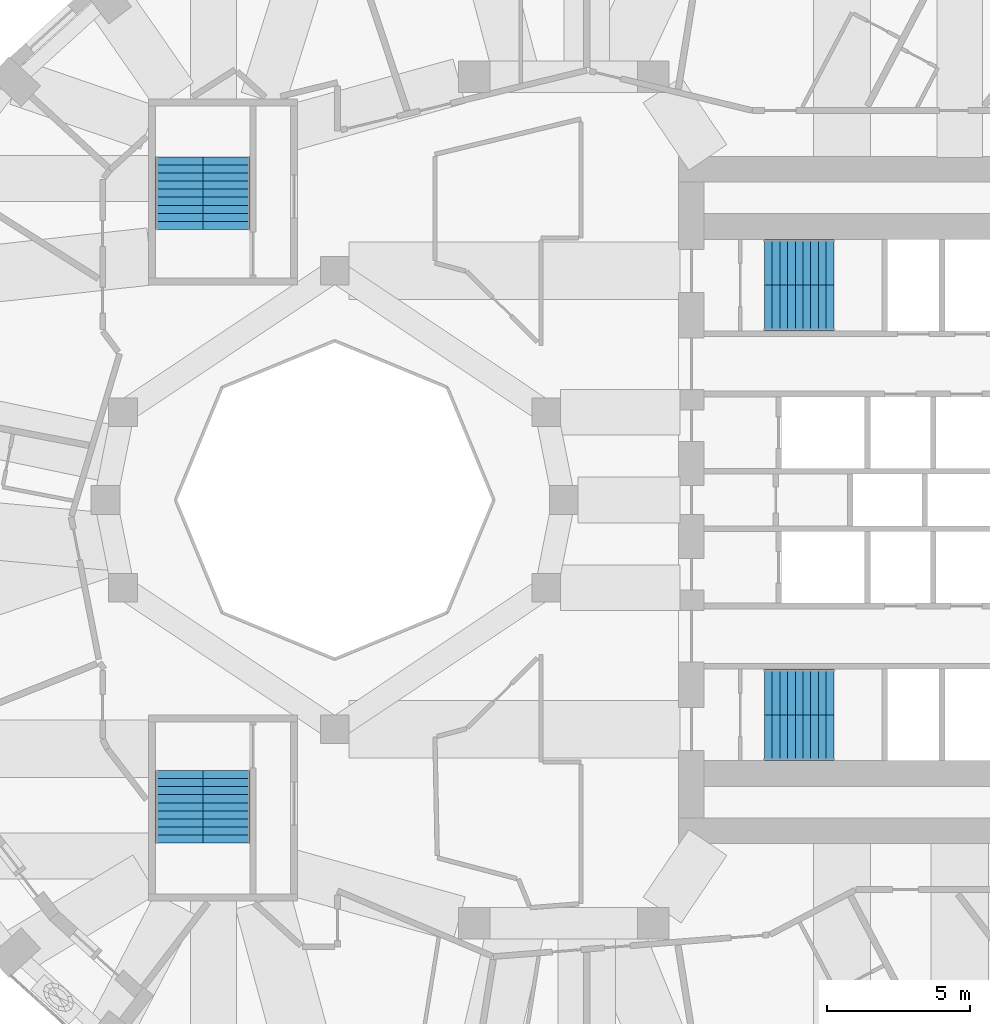
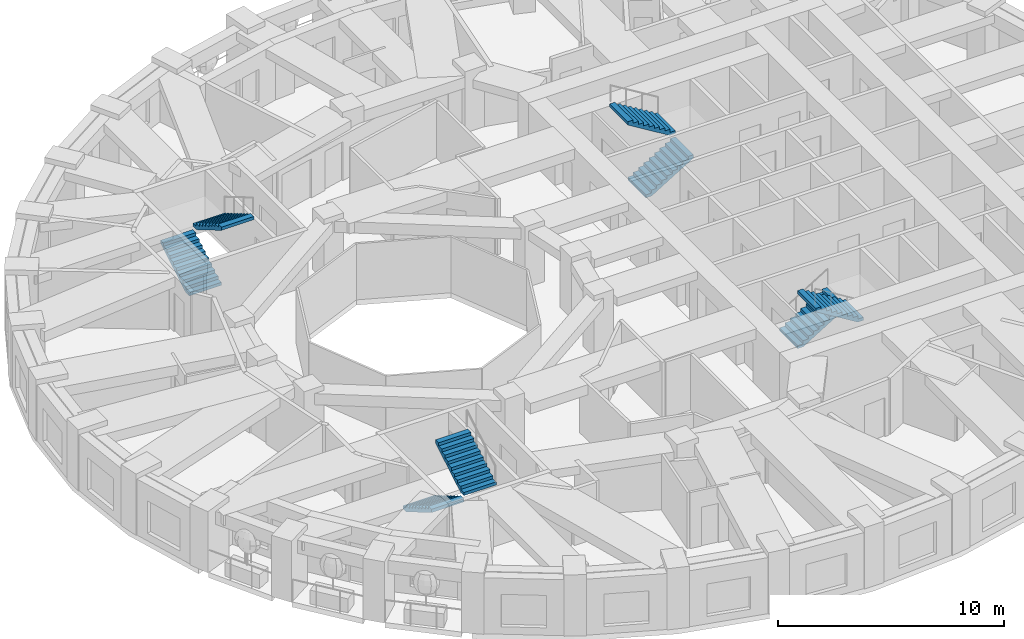
# One storey, part 9 of 12: 8 stair flights, 4 elements without a shape of their own.
"""IFC4 building model written with IfcOpenShell, lengths in metres."""

from ifc_helpers import new_model, si_unit, direction, frame, origin, place, context, subcontext, project, spatial, polyline, outline, extrude, material, type_object, element, aggregate, save


model = new_model("IFC4")

# Units and contexts
model_context = context("Model", 3, precision=1e-05, world=origin(), true_north=direction((0.0, 1.0)))
body_context = subcontext(model_context, "Body", "Model", "MODEL_VIEW")
ifc_project = project(units=[si_unit("LENGTHUNIT", "METRE"), si_unit("AREAUNIT", "SQUARE_METRE"), si_unit("VOLUMEUNIT", "CUBIC_METRE"), si_unit("PLANEANGLEUNIT", "RADIAN"), si_unit("MASSUNIT", "GRAM", prefix="KILO")], contexts=[model_context])

# Site, building, storey
site_placement = place(None, origin())
site = spatial("IfcSite", under=ifc_project, at=site_placement, CompositionType="ELEMENT")
building_placement = place(site_placement, origin())
building = spatial("IfcBuilding", under=site, at=building_placement, Name="Taillehof Tower", CompositionType="ELEMENT")
storey_placement = place(building_placement, frame((0.0, 0.0, 95.5)))
storey = spatial("IfcBuildingStorey", under=building, at=storey_placement, Name="L26", CompositionType="ELEMENT", Elevation=95.5)

# Stair, stair flights
ifc_material_1 = material(Name="Concrete C40/50", Category="concrete")
stair_type = type_object("IfcStairType", Name="Exit stair half-turn", PredefinedType="HALF_TURN_STAIR", material=ifc_material_1)
stair_1_placement = place(storey_placement, origin())
stair_1 = element("IfcStair", 1, at=stair_1_placement, inside=storey, type_object=stair_type, Name="Exit stair S1", PredefinedType="HALF_TURN_STAIR")
ifc_material_2 = material(Name="Concrete C40/50", Category="concrete")
stair_flight_type_1 = type_object("IfcStairFlightType", Name="Stair flight 1600 riser 165.0 going 270", PredefinedType="STRAIGHT", material=ifc_material_2)
stair_flight_1_placement = place(storey_placement, frame((7.0, 6.699951171875, 0.0), z_axis=(0.0, 0.0, 1.0), x_axis=(1.0, 0.0, 0.0)))
stair_flight_1 = element("IfcStairFlight", 2, at=stair_flight_1_placement, type_object=stair_flight_type_1, Name="S1 flight 1", NumberOfRisers=10, NumberOfTreads=9, PredefinedType="STRAIGHT", RiserHeight=0.165, TreadLength=0.27, context=body_context, shape_type="SweptSolid", body=[
    extrude(outline(polyline([(0.0, 0.0), (0.0, 0.00537109375), (0.0, 0.0107421875), (0.0, 0.015869140625), (0.0, 0.021240234375), (0.0, 0.026611328125), (0.0, 0.031982421875), (0.0, 0.037353515625), (0.0, 0.04248046875), (0.0, 0.0478515625), (0.0, 0.05322265625), (0.0, 0.05859375), (0.0, 0.06396484375), (0.0, 0.069091796875), (0.0, 0.074462890625), (0.0, 0.079833984375), (0.0, 0.085205078125), (0.0, 0.090576171875), (0.0, 0.095703125), (0.0, 0.10107421875), (0.0, 0.1064453125), (0.0, 0.11181640625), (0.0, 0.1171875), (0.0, 0.122314453125), (0.0, 0.127685546875), (0.0, 0.133056640625), (0.0, 0.138427734375), (0.0, 0.143798828125), (0.0, 0.14892578125), (0.0, 0.154296875), (0.0, 0.15966796875), (0.0, 0.1650390625), (0.27001953125, 0.1650390625), (0.27001953125, 0.330078125), (0.5400390625, 0.330078125), (0.5400390625, 0.4951171875), (0.81005859375, 0.4951171875), (0.81005859375, 0.659912109375), (1.080078125, 0.659912109375), (1.080078125, 0.824951171875), (1.35009765625, 0.824951171875), (1.35009765625, 0.989990234375), (1.6201171875, 0.989990234375), (1.6201171875, 1.155029296875), (1.889892578125, 1.155029296875), (1.889892578125, 1.320068359375), (2.159912109375, 1.320068359375), (2.159912109375, 1.485107421875), (2.429931640625, 1.485107421875), (2.429931640625, 1.479248046875), (2.429931640625, 1.4736328125), (2.429931640625, 1.468017578125), (2.429931640625, 1.46240234375), (2.429931640625, 1.45654296875), (2.429931640625, 1.450927734375), (2.429931640625, 1.4453125), (2.429931640625, 1.439697265625), (2.429931640625, 1.43408203125), (2.429931640625, 1.42822265625), (2.429931640625, 1.422607421875), (2.429931640625, 1.4169921875), (2.429931640625, 1.411376953125), (2.429931640625, 1.40576171875), (2.429931640625, 1.39990234375), (2.429931640625, 1.394287109375), (2.429931640625, 1.388671875), (2.429931640625, 1.383056640625), (2.429931640625, 1.37744140625), (2.429931640625, 1.37158203125), (2.429931640625, 1.365966796875), (2.429931640625, 1.3603515625), (2.429931640625, 1.354736328125), (2.429931640625, 1.348876953125), (2.429931640625, 1.34326171875), (2.429931640625, 1.337646484375), (2.429931640625, 1.33203125), (2.429931640625, 1.326416015625), (2.429931640625, 1.320556640625), (2.429931640625, 1.31494140625), (2.429931640625, 1.309326171875), (0.287353515625, 0.0), (0.0, 0.0)])), frame((0.0, 0.800048828125, 0.0), z_axis=(0.0, -1.0, 0.0), x_axis=(1.0, 0.0, 0.0)), (0.0, 0.0, 1.0), 1.6),
])
stair_flight_2_placement = place(storey_placement, frame((9.429931640625, 8.300048828125, 1.64990234375), z_axis=(0.0, 0.0, 1.0), x_axis=(-1.0, 0.0, 0.0)))
stair_flight_2 = element("IfcStairFlight", 3, at=stair_flight_2_placement, type_object=stair_flight_type_1, Name="S1 flight 2", NumberOfRisers=10, NumberOfTreads=9, PredefinedType="STRAIGHT", RiserHeight=0.165, TreadLength=0.27, context=body_context, shape_type="SweptSolid", body=[
    extrude(outline(polyline([(0.0, 0.0), (0.0, 0.00537109375), (0.0, 0.0107421875), (0.0, 0.015869140625), (0.0, 0.021240234375), (0.0, 0.026611328125), (0.0, 0.031982421875), (0.0, 0.037353515625), (0.0, 0.04248046875), (0.0, 0.0478515625), (0.0, 0.05322265625), (0.0, 0.05859375), (0.0, 0.06396484375), (0.0, 0.069091796875), (0.0, 0.074462890625), (0.0, 0.079833984375), (0.0, 0.085205078125), (0.0, 0.090576171875), (0.0, 0.095703125), (0.0, 0.10107421875), (0.0, 0.1064453125), (0.0, 0.11181640625), (0.0, 0.1171875), (0.0, 0.122314453125), (0.0, 0.127685546875), (0.0, 0.133056640625), (0.0, 0.138427734375), (0.0, 0.143798828125), (0.0, 0.14892578125), (0.0, 0.154296875), (0.0, 0.15966796875), (0.0, 0.1650390625), (0.27001953125, 0.1650390625), (0.27001953125, 0.330078125), (0.5400390625, 0.330078125), (0.5400390625, 0.4951171875), (0.81005859375, 0.4951171875), (0.81005859375, 0.659912109375), (1.080078125, 0.659912109375), (1.080078125, 0.824951171875), (1.35009765625, 0.824951171875), (1.35009765625, 0.989990234375), (1.6201171875, 0.989990234375), (1.6201171875, 1.155029296875), (1.889892578125, 1.155029296875), (1.889892578125, 1.320068359375), (2.159912109375, 1.320068359375), (2.159912109375, 1.485107421875), (2.429931640625, 1.485107421875), (2.429931640625, 1.479248046875), (2.429931640625, 1.4736328125), (2.429931640625, 1.468017578125), (2.429931640625, 1.46240234375), (2.429931640625, 1.45654296875), (2.429931640625, 1.450927734375), (2.429931640625, 1.4453125), (2.429931640625, 1.439697265625), (2.429931640625, 1.43408203125), (2.429931640625, 1.42822265625), (2.429931640625, 1.422607421875), (2.429931640625, 1.4169921875), (2.429931640625, 1.411376953125), (2.429931640625, 1.40576171875), (2.429931640625, 1.39990234375), (2.429931640625, 1.394287109375), (2.429931640625, 1.388671875), (2.429931640625, 1.383056640625), (2.429931640625, 1.37744140625), (2.429931640625, 1.37158203125), (2.429931640625, 1.365966796875), (2.429931640625, 1.3603515625), (2.429931640625, 1.354736328125), (2.429931640625, 1.348876953125), (2.429931640625, 1.34326171875), (2.429931640625, 1.337646484375), (2.429931640625, 1.33203125), (2.429931640625, 1.326416015625), (2.429931640625, 1.320556640625), (2.429931640625, 1.31494140625), (2.429931640625, 1.309326171875), (0.287353515625, 0.0), (0.0, 0.0)])), frame((0.0, 0.800048828125, 0.0), z_axis=(0.0, -1.0, 0.0), x_axis=(1.0, 0.0, 0.0)), (0.0, 0.0, 1.0), 1.6),
])
aggregate(stair_1, [stair_flight_1, stair_flight_2])

stair_2_placement = place(storey_placement, origin())
stair_2 = element("IfcStair", 4, at=stair_2_placement, inside=storey, type_object=stair_type, Name="Exit stair S2", PredefinedType="HALF_TURN_STAIR")
stair_flight_3_placement = place(storey_placement, frame((7.0, -6.699951171875, 0.0), z_axis=(0.0, 0.0, 1.0), x_axis=(1.0, 0.0, 0.0)))
stair_flight_3 = element("IfcStairFlight", 5, at=stair_flight_3_placement, type_object=stair_flight_type_1, Name="S2 flight 1", NumberOfRisers=10, NumberOfTreads=9, PredefinedType="STRAIGHT", RiserHeight=0.165, TreadLength=0.27, context=body_context, shape_type="SweptSolid", body=[
    extrude(outline(polyline([(0.0, 0.0), (0.0, 0.00537109375), (0.0, 0.0107421875), (0.0, 0.015869140625), (0.0, 0.021240234375), (0.0, 0.026611328125), (0.0, 0.031982421875), (0.0, 0.037353515625), (0.0, 0.04248046875), (0.0, 0.0478515625), (0.0, 0.05322265625), (0.0, 0.05859375), (0.0, 0.06396484375), (0.0, 0.069091796875), (0.0, 0.074462890625), (0.0, 0.079833984375), (0.0, 0.085205078125), (0.0, 0.090576171875), (0.0, 0.095703125), (0.0, 0.10107421875), (0.0, 0.1064453125), (0.0, 0.11181640625), (0.0, 0.1171875), (0.0, 0.122314453125), (0.0, 0.127685546875), (0.0, 0.133056640625), (0.0, 0.138427734375), (0.0, 0.143798828125), (0.0, 0.14892578125), (0.0, 0.154296875), (0.0, 0.15966796875), (0.0, 0.1650390625), (0.27001953125, 0.1650390625), (0.27001953125, 0.330078125), (0.5400390625, 0.330078125), (0.5400390625, 0.4951171875), (0.81005859375, 0.4951171875), (0.81005859375, 0.659912109375), (1.080078125, 0.659912109375), (1.080078125, 0.824951171875), (1.35009765625, 0.824951171875), (1.35009765625, 0.989990234375), (1.6201171875, 0.989990234375), (1.6201171875, 1.155029296875), (1.889892578125, 1.155029296875), (1.889892578125, 1.320068359375), (2.159912109375, 1.320068359375), (2.159912109375, 1.485107421875), (2.429931640625, 1.485107421875), (2.429931640625, 1.479248046875), (2.429931640625, 1.4736328125), (2.429931640625, 1.468017578125), (2.429931640625, 1.46240234375), (2.429931640625, 1.45654296875), (2.429931640625, 1.450927734375), (2.429931640625, 1.4453125), (2.429931640625, 1.439697265625), (2.429931640625, 1.43408203125), (2.429931640625, 1.42822265625), (2.429931640625, 1.422607421875), (2.429931640625, 1.4169921875), (2.429931640625, 1.411376953125), (2.429931640625, 1.40576171875), (2.429931640625, 1.39990234375), (2.429931640625, 1.394287109375), (2.429931640625, 1.388671875), (2.429931640625, 1.383056640625), (2.429931640625, 1.37744140625), (2.429931640625, 1.37158203125), (2.429931640625, 1.365966796875), (2.429931640625, 1.3603515625), (2.429931640625, 1.354736328125), (2.429931640625, 1.348876953125), (2.429931640625, 1.34326171875), (2.429931640625, 1.337646484375), (2.429931640625, 1.33203125), (2.429931640625, 1.326416015625), (2.429931640625, 1.320556640625), (2.429931640625, 1.31494140625), (2.429931640625, 1.309326171875), (0.287353515625, 0.0), (0.0, 0.0)])), frame((0.0, 0.800048828125, 0.0), z_axis=(0.0, -1.0, 0.0), x_axis=(1.0, 0.0, 0.0)), (0.0, 0.0, 1.0), 1.6),
])
stair_flight_4_placement = place(storey_placement, frame((9.429931640625, -8.300048828125, 1.64990234375), z_axis=(0.0, 0.0, 1.0), x_axis=(-1.0, 0.0, 0.0)))
stair_flight_4 = element("IfcStairFlight", 6, at=stair_flight_4_placement, type_object=stair_flight_type_1, Name="S2 flight 2", NumberOfRisers=10, NumberOfTreads=9, PredefinedType="STRAIGHT", RiserHeight=0.165, TreadLength=0.27, context=body_context, shape_type="SweptSolid", body=[
    extrude(outline(polyline([(0.0, 0.0), (0.0, 0.00537109375), (0.0, 0.0107421875), (0.0, 0.015869140625), (0.0, 0.021240234375), (0.0, 0.026611328125), (0.0, 0.031982421875), (0.0, 0.037353515625), (0.0, 0.04248046875), (0.0, 0.0478515625), (0.0, 0.05322265625), (0.0, 0.05859375), (0.0, 0.06396484375), (0.0, 0.069091796875), (0.0, 0.074462890625), (0.0, 0.079833984375), (0.0, 0.085205078125), (0.0, 0.090576171875), (0.0, 0.095703125), (0.0, 0.10107421875), (0.0, 0.1064453125), (0.0, 0.11181640625), (0.0, 0.1171875), (0.0, 0.122314453125), (0.0, 0.127685546875), (0.0, 0.133056640625), (0.0, 0.138427734375), (0.0, 0.143798828125), (0.0, 0.14892578125), (0.0, 0.154296875), (0.0, 0.15966796875), (0.0, 0.1650390625), (0.27001953125, 0.1650390625), (0.27001953125, 0.330078125), (0.5400390625, 0.330078125), (0.5400390625, 0.4951171875), (0.81005859375, 0.4951171875), (0.81005859375, 0.659912109375), (1.080078125, 0.659912109375), (1.080078125, 0.824951171875), (1.35009765625, 0.824951171875), (1.35009765625, 0.989990234375), (1.6201171875, 0.989990234375), (1.6201171875, 1.155029296875), (1.889892578125, 1.155029296875), (1.889892578125, 1.320068359375), (2.159912109375, 1.320068359375), (2.159912109375, 1.485107421875), (2.429931640625, 1.485107421875), (2.429931640625, 1.479248046875), (2.429931640625, 1.4736328125), (2.429931640625, 1.468017578125), (2.429931640625, 1.46240234375), (2.429931640625, 1.45654296875), (2.429931640625, 1.450927734375), (2.429931640625, 1.4453125), (2.429931640625, 1.439697265625), (2.429931640625, 1.43408203125), (2.429931640625, 1.42822265625), (2.429931640625, 1.422607421875), (2.429931640625, 1.4169921875), (2.429931640625, 1.411376953125), (2.429931640625, 1.40576171875), (2.429931640625, 1.39990234375), (2.429931640625, 1.394287109375), (2.429931640625, 1.388671875), (2.429931640625, 1.383056640625), (2.429931640625, 1.37744140625), (2.429931640625, 1.37158203125), (2.429931640625, 1.365966796875), (2.429931640625, 1.3603515625), (2.429931640625, 1.354736328125), (2.429931640625, 1.348876953125), (2.429931640625, 1.34326171875), (2.429931640625, 1.337646484375), (2.429931640625, 1.33203125), (2.429931640625, 1.326416015625), (2.429931640625, 1.320556640625), (2.429931640625, 1.31494140625), (2.429931640625, 1.309326171875), (0.287353515625, 0.0), (0.0, 0.0)])), frame((0.0, 0.800048828125, 0.0), z_axis=(0.0, -1.0, 0.0), x_axis=(1.0, 0.0, 0.0)), (0.0, 0.0, 1.0), 1.6),
])
aggregate(stair_2, [stair_flight_3, stair_flight_4])

stair_3_placement = place(storey_placement, origin())
stair_3 = element("IfcStair", 7, at=stair_3_placement, inside=storey, type_object=stair_type, Name="Exit stair S3", PredefinedType="HALF_TURN_STAIR")
ifc_material_3 = material(Name="Concrete C40/50", Category="concrete")
stair_flight_type_2 = type_object("IfcStairFlightType", Name="Stair flight 1650 riser 165.0 going 280", PredefinedType="STRAIGHT", material=ifc_material_3)
stair_flight_5_placement = place(storey_placement, frame((-13.425048828125, 9.449951171875, 0.0), z_axis=(0.0, 0.0, 1.0), x_axis=(0.0, 1.0, 0.0)))
stair_flight_5 = element("IfcStairFlight", 8, at=stair_flight_5_placement, type_object=stair_flight_type_2, Name="S3 flight 1", NumberOfRisers=10, NumberOfTreads=9, PredefinedType="STRAIGHT", RiserHeight=0.165, TreadLength=0.28, context=body_context, shape_type="SweptSolid", body=[
    extrude(outline(polyline([(0.0, 0.0), (0.0, 0.00537109375), (0.0, 0.0107421875), (0.0, 0.015869140625), (0.0, 0.021240234375), (0.0, 0.026611328125), (0.0, 0.031982421875), (0.0, 0.037353515625), (0.0, 0.04248046875), (0.0, 0.0478515625), (0.0, 0.05322265625), (0.0, 0.05859375), (0.0, 0.06396484375), (0.0, 0.069091796875), (0.0, 0.074462890625), (0.0, 0.079833984375), (0.0, 0.085205078125), (0.0, 0.090576171875), (0.0, 0.095703125), (0.0, 0.10107421875), (0.0, 0.1064453125), (0.0, 0.11181640625), (0.0, 0.1171875), (0.0, 0.122314453125), (0.0, 0.127685546875), (0.0, 0.133056640625), (0.0, 0.138427734375), (0.0, 0.143798828125), (0.0, 0.14892578125), (0.0, 0.154296875), (0.0, 0.15966796875), (0.0, 0.1650390625), (0.280029296875, 0.1650390625), (0.280029296875, 0.330078125), (0.56005859375, 0.330078125), (0.56005859375, 0.4951171875), (0.840087890625, 0.4951171875), (0.840087890625, 0.659912109375), (1.1201171875, 0.659912109375), (1.1201171875, 0.824951171875), (1.39990234375, 0.824951171875), (1.39990234375, 0.989990234375), (1.679931640625, 0.989990234375), (1.679931640625, 1.155029296875), (1.9599609375, 1.155029296875), (1.9599609375, 1.320068359375), (2.239990234375, 1.320068359375), (2.239990234375, 1.485107421875), (2.52001953125, 1.485107421875), (2.52001953125, 1.4794921875), (2.52001953125, 1.473876953125), (2.52001953125, 1.46826171875), (2.52001953125, 1.462646484375), (2.52001953125, 1.45703125), (2.52001953125, 1.451416015625), (2.52001953125, 1.44580078125), (2.52001953125, 1.440185546875), (2.52001953125, 1.4345703125), (2.52001953125, 1.428955078125), (2.52001953125, 1.42333984375), (2.52001953125, 1.417724609375), (2.52001953125, 1.412109375), (2.52001953125, 1.406494140625), (2.52001953125, 1.40087890625), (2.52001953125, 1.395263671875), (2.52001953125, 1.3896484375), (2.52001953125, 1.384033203125), (2.52001953125, 1.37841796875), (2.52001953125, 1.372802734375), (2.52001953125, 1.3671875), (2.52001953125, 1.361572265625), (2.52001953125, 1.35595703125), (2.52001953125, 1.350341796875), (2.52001953125, 1.3447265625), (2.52001953125, 1.339111328125), (2.52001953125, 1.33349609375), (2.52001953125, 1.327880859375), (2.52001953125, 1.322265625), (2.52001953125, 1.316650390625), (2.52001953125, 1.31103515625), (0.295166015625, 0.0), (0.0, 0.0)])), frame((0.0, 0.824951171875, 0.0), z_axis=(0.0, -1.0, 0.0), x_axis=(1.0, 0.0, 0.0)), (0.0, 0.0, 1.0), 1.65),
])
stair_flight_6_placement = place(storey_placement, frame((-11.77490234375, 11.969970703125, 1.64990234375), z_axis=(0.0, 0.0, 1.0), x_axis=(0.0, -1.0, 0.0)))
stair_flight_6 = element("IfcStairFlight", 9, at=stair_flight_6_placement, type_object=stair_flight_type_2, Name="S3 flight 2", NumberOfRisers=10, NumberOfTreads=9, PredefinedType="STRAIGHT", RiserHeight=0.165, TreadLength=0.28, context=body_context, shape_type="SweptSolid", body=[
    extrude(outline(polyline([(0.0, 0.0), (0.0, 0.00537109375), (0.0, 0.0107421875), (0.0, 0.015869140625), (0.0, 0.021240234375), (0.0, 0.026611328125), (0.0, 0.031982421875), (0.0, 0.037353515625), (0.0, 0.04248046875), (0.0, 0.0478515625), (0.0, 0.05322265625), (0.0, 0.05859375), (0.0, 0.06396484375), (0.0, 0.069091796875), (0.0, 0.074462890625), (0.0, 0.079833984375), (0.0, 0.085205078125), (0.0, 0.090576171875), (0.0, 0.095703125), (0.0, 0.10107421875), (0.0, 0.1064453125), (0.0, 0.11181640625), (0.0, 0.1171875), (0.0, 0.122314453125), (0.0, 0.127685546875), (0.0, 0.133056640625), (0.0, 0.138427734375), (0.0, 0.143798828125), (0.0, 0.14892578125), (0.0, 0.154296875), (0.0, 0.15966796875), (0.0, 0.1650390625), (0.280029296875, 0.1650390625), (0.280029296875, 0.330078125), (0.56005859375, 0.330078125), (0.56005859375, 0.4951171875), (0.840087890625, 0.4951171875), (0.840087890625, 0.659912109375), (1.1201171875, 0.659912109375), (1.1201171875, 0.824951171875), (1.39990234375, 0.824951171875), (1.39990234375, 0.989990234375), (1.679931640625, 0.989990234375), (1.679931640625, 1.155029296875), (1.9599609375, 1.155029296875), (1.9599609375, 1.320068359375), (2.239990234375, 1.320068359375), (2.239990234375, 1.485107421875), (2.52001953125, 1.485107421875), (2.52001953125, 1.4794921875), (2.52001953125, 1.473876953125), (2.52001953125, 1.46826171875), (2.52001953125, 1.462646484375), (2.52001953125, 1.45703125), (2.52001953125, 1.451416015625), (2.52001953125, 1.44580078125), (2.52001953125, 1.440185546875), (2.52001953125, 1.4345703125), (2.52001953125, 1.428955078125), (2.52001953125, 1.42333984375), (2.52001953125, 1.417724609375), (2.52001953125, 1.412109375), (2.52001953125, 1.406494140625), (2.52001953125, 1.40087890625), (2.52001953125, 1.395263671875), (2.52001953125, 1.3896484375), (2.52001953125, 1.384033203125), (2.52001953125, 1.37841796875), (2.52001953125, 1.372802734375), (2.52001953125, 1.3671875), (2.52001953125, 1.361572265625), (2.52001953125, 1.35595703125), (2.52001953125, 1.350341796875), (2.52001953125, 1.3447265625), (2.52001953125, 1.339111328125), (2.52001953125, 1.33349609375), (2.52001953125, 1.327880859375), (2.52001953125, 1.322265625), (2.52001953125, 1.316650390625), (2.52001953125, 1.31103515625), (0.295166015625, 0.0), (0.0, 0.0)])), frame((0.0, 0.824951171875, 0.0), z_axis=(0.0, -1.0, 0.0), x_axis=(1.0, 0.0, 0.0)), (0.0, 0.0, 1.0), 1.65),
])
aggregate(stair_3, [stair_flight_5, stair_flight_6])

stair_4_placement = place(storey_placement, origin())
stair_4 = element("IfcStair", 10, at=stair_4_placement, inside=storey, type_object=stair_type, Name="Exit stair S4", PredefinedType="HALF_TURN_STAIR")
stair_flight_7_placement = place(storey_placement, frame((-13.425048828125, -9.449951171875, 0.0), z_axis=(0.0, 0.0, 1.0), x_axis=(0.0, -1.0, 0.0)))
stair_flight_7 = element("IfcStairFlight", 11, at=stair_flight_7_placement, type_object=stair_flight_type_2, Name="S4 flight 1", NumberOfRisers=10, NumberOfTreads=9, PredefinedType="STRAIGHT", RiserHeight=0.165, TreadLength=0.28, context=body_context, shape_type="SweptSolid", body=[
    extrude(outline(polyline([(0.0, 0.0), (0.0, 0.00537109375), (0.0, 0.0107421875), (0.0, 0.015869140625), (0.0, 0.021240234375), (0.0, 0.026611328125), (0.0, 0.031982421875), (0.0, 0.037353515625), (0.0, 0.04248046875), (0.0, 0.0478515625), (0.0, 0.05322265625), (0.0, 0.05859375), (0.0, 0.06396484375), (0.0, 0.069091796875), (0.0, 0.074462890625), (0.0, 0.079833984375), (0.0, 0.085205078125), (0.0, 0.090576171875), (0.0, 0.095703125), (0.0, 0.10107421875), (0.0, 0.1064453125), (0.0, 0.11181640625), (0.0, 0.1171875), (0.0, 0.122314453125), (0.0, 0.127685546875), (0.0, 0.133056640625), (0.0, 0.138427734375), (0.0, 0.143798828125), (0.0, 0.14892578125), (0.0, 0.154296875), (0.0, 0.15966796875), (0.0, 0.1650390625), (0.280029296875, 0.1650390625), (0.280029296875, 0.330078125), (0.56005859375, 0.330078125), (0.56005859375, 0.4951171875), (0.840087890625, 0.4951171875), (0.840087890625, 0.659912109375), (1.1201171875, 0.659912109375), (1.1201171875, 0.824951171875), (1.39990234375, 0.824951171875), (1.39990234375, 0.989990234375), (1.679931640625, 0.989990234375), (1.679931640625, 1.155029296875), (1.9599609375, 1.155029296875), (1.9599609375, 1.320068359375), (2.239990234375, 1.320068359375), (2.239990234375, 1.485107421875), (2.52001953125, 1.485107421875), (2.52001953125, 1.4794921875), (2.52001953125, 1.473876953125), (2.52001953125, 1.46826171875), (2.52001953125, 1.462646484375), (2.52001953125, 1.45703125), (2.52001953125, 1.451416015625), (2.52001953125, 1.44580078125), (2.52001953125, 1.440185546875), (2.52001953125, 1.4345703125), (2.52001953125, 1.428955078125), (2.52001953125, 1.42333984375), (2.52001953125, 1.417724609375), (2.52001953125, 1.412109375), (2.52001953125, 1.406494140625), (2.52001953125, 1.40087890625), (2.52001953125, 1.395263671875), (2.52001953125, 1.3896484375), (2.52001953125, 1.384033203125), (2.52001953125, 1.37841796875), (2.52001953125, 1.372802734375), (2.52001953125, 1.3671875), (2.52001953125, 1.361572265625), (2.52001953125, 1.35595703125), (2.52001953125, 1.350341796875), (2.52001953125, 1.3447265625), (2.52001953125, 1.339111328125), (2.52001953125, 1.33349609375), (2.52001953125, 1.327880859375), (2.52001953125, 1.322265625), (2.52001953125, 1.316650390625), (2.52001953125, 1.31103515625), (0.295166015625, 0.0), (0.0, 0.0)])), frame((0.0, 0.824951171875, 0.0), z_axis=(0.0, -1.0, 0.0), x_axis=(1.0, 0.0, 0.0)), (0.0, 0.0, 1.0), 1.65),
])
stair_flight_8_placement = place(storey_placement, frame((-11.77490234375, -11.969970703125, 1.64990234375), z_axis=(0.0, 0.0, 1.0), x_axis=(0.0, 1.0, 0.0)))
stair_flight_8 = element("IfcStairFlight", 12, at=stair_flight_8_placement, type_object=stair_flight_type_2, Name="S4 flight 2", NumberOfRisers=10, NumberOfTreads=9, PredefinedType="STRAIGHT", RiserHeight=0.165, TreadLength=0.28, context=body_context, shape_type="SweptSolid", body=[
    extrude(outline(polyline([(0.0, 0.0), (0.0, 0.00537109375), (0.0, 0.0107421875), (0.0, 0.015869140625), (0.0, 0.021240234375), (0.0, 0.026611328125), (0.0, 0.031982421875), (0.0, 0.037353515625), (0.0, 0.04248046875), (0.0, 0.0478515625), (0.0, 0.05322265625), (0.0, 0.05859375), (0.0, 0.06396484375), (0.0, 0.069091796875), (0.0, 0.074462890625), (0.0, 0.079833984375), (0.0, 0.085205078125), (0.0, 0.090576171875), (0.0, 0.095703125), (0.0, 0.10107421875), (0.0, 0.1064453125), (0.0, 0.11181640625), (0.0, 0.1171875), (0.0, 0.122314453125), (0.0, 0.127685546875), (0.0, 0.133056640625), (0.0, 0.138427734375), (0.0, 0.143798828125), (0.0, 0.14892578125), (0.0, 0.154296875), (0.0, 0.15966796875), (0.0, 0.1650390625), (0.280029296875, 0.1650390625), (0.280029296875, 0.330078125), (0.56005859375, 0.330078125), (0.56005859375, 0.4951171875), (0.840087890625, 0.4951171875), (0.840087890625, 0.659912109375), (1.1201171875, 0.659912109375), (1.1201171875, 0.824951171875), (1.39990234375, 0.824951171875), (1.39990234375, 0.989990234375), (1.679931640625, 0.989990234375), (1.679931640625, 1.155029296875), (1.9599609375, 1.155029296875), (1.9599609375, 1.320068359375), (2.239990234375, 1.320068359375), (2.239990234375, 1.485107421875), (2.52001953125, 1.485107421875), (2.52001953125, 1.4794921875), (2.52001953125, 1.473876953125), (2.52001953125, 1.46826171875), (2.52001953125, 1.462646484375), (2.52001953125, 1.45703125), (2.52001953125, 1.451416015625), (2.52001953125, 1.44580078125), (2.52001953125, 1.440185546875), (2.52001953125, 1.4345703125), (2.52001953125, 1.428955078125), (2.52001953125, 1.42333984375), (2.52001953125, 1.417724609375), (2.52001953125, 1.412109375), (2.52001953125, 1.406494140625), (2.52001953125, 1.40087890625), (2.52001953125, 1.395263671875), (2.52001953125, 1.3896484375), (2.52001953125, 1.384033203125), (2.52001953125, 1.37841796875), (2.52001953125, 1.372802734375), (2.52001953125, 1.3671875), (2.52001953125, 1.361572265625), (2.52001953125, 1.35595703125), (2.52001953125, 1.350341796875), (2.52001953125, 1.3447265625), (2.52001953125, 1.339111328125), (2.52001953125, 1.33349609375), (2.52001953125, 1.327880859375), (2.52001953125, 1.322265625), (2.52001953125, 1.316650390625), (2.52001953125, 1.31103515625), (0.295166015625, 0.0), (0.0, 0.0)])), frame((0.0, 0.824951171875, 0.0), z_axis=(0.0, -1.0, 0.0), x_axis=(1.0, 0.0, 0.0)), (0.0, 0.0, 1.0), 1.65),
])
aggregate(stair_4, [stair_flight_7, stair_flight_8])

save(model, "model.ifc")
